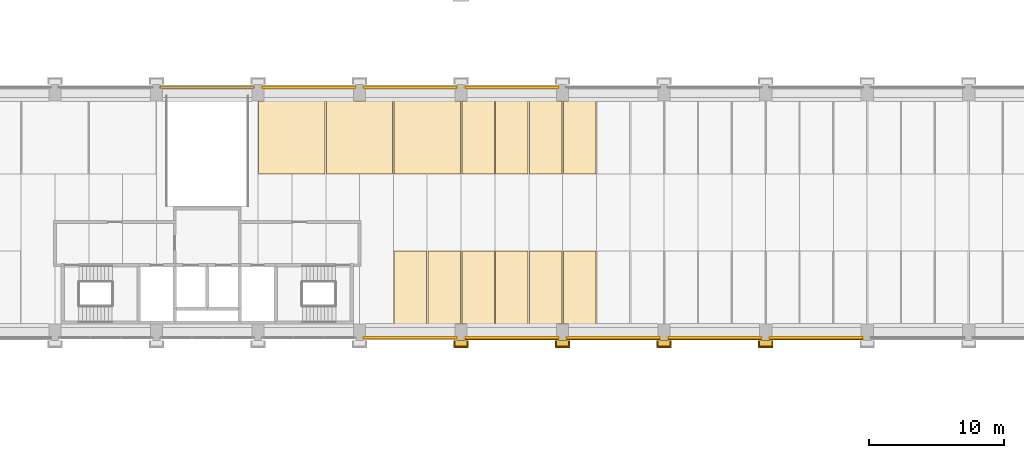
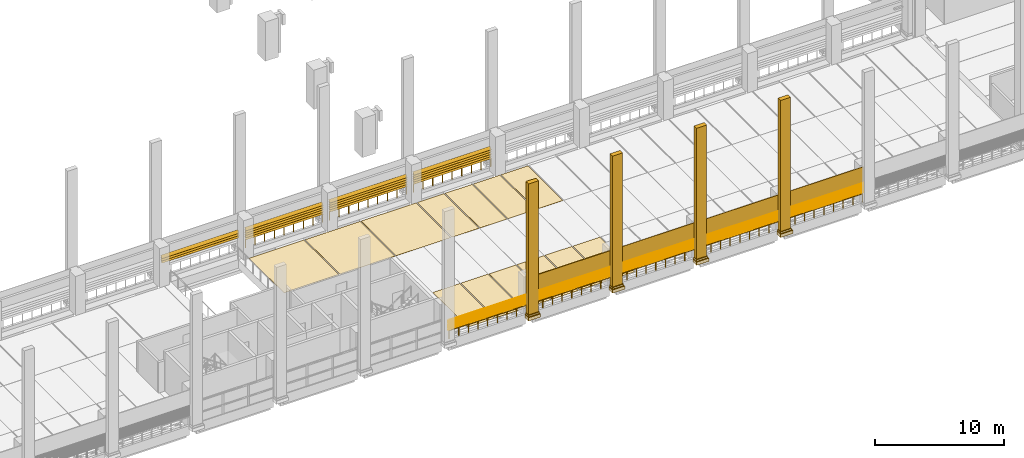
# One storey, part 50 of 67: 43 shading devices, 29 coverings, 8 railings.
"""IFC4 building model written with IfcOpenShell, lengths in metres."""

from ifc_helpers import new_model, si_unit, direction, frame, origin, origin_2d, place, context, subcontext, project, spatial, polyline, circle, outline, extrude, material, layer, layer_set, type_object, element, save


model = new_model("IFC4")

# Units and contexts
model_context = context("Model", 3, precision=1e-05, world=origin(), true_north=direction((0.0, 1.0)))
body_context = subcontext(model_context, "Body", "Model", "MODEL_VIEW")
ifc_project = project(units=[si_unit("LENGTHUNIT", "METRE"), si_unit("AREAUNIT", "SQUARE_METRE"), si_unit("VOLUMEUNIT", "CUBIC_METRE"), si_unit("PLANEANGLEUNIT", "RADIAN"), si_unit("MASSUNIT", "GRAM", prefix="KILO")], contexts=[model_context])

# Site, building, storey
site_placement = place(None, origin())
site = spatial("IfcSite", under=ifc_project, at=site_placement, CompositionType="ELEMENT")
building_placement = place(site_placement, origin())
building = spatial("IfcBuilding", under=site, at=building_placement, Name="Cour d'Honneur Mobility Palace", CompositionType="ELEMENT")
storey_placement = place(building_placement, frame((0.0, 0.0, 4.5)))
storey = spatial("IfcBuildingStorey", under=building, at=storey_placement, Name="L01", CompositionType="ELEMENT", Elevation=4.5)

# Coverings
ifc_material_1 = material(Name="Accessible bay marking paint")
ifc_layer_1 = layer(ifc_material_1, 0.0048828125)
ifc_layer_set_1 = layer_set([ifc_layer_1], Name="Accessible bay marking paint")
covering_type_1 = type_object("IfcCoveringType", Name="Accessible parking bay marking", PredefinedType="FLOORING", material=ifc_layer_set_1)
covering_1_placement = place(storey_placement, origin())
element("IfcCovering", 1, at=covering_1_placement, inside=storey, type_object=covering_type_1, Name="Accessible parking bay marking L01 4", PredefinedType="FLOORING", context=body_context, shape_type="SweptSolid", body=[
    extrude(outline(polyline([(84.949951171875, 56.550048828125), (84.949951171875, 61.949951171875), (89.85009765625, 61.949951171875), (89.85009765625, 56.550048828125), (84.949951171875, 56.550048828125)])), origin(), (0.0, 0.0, 1.0), 0.0048828125),
])
covering_2_placement = place(storey_placement, origin())
element("IfcCovering", 2, at=covering_2_placement, inside=storey, type_object=covering_type_1, Name="Accessible parking bay marking L01 5", PredefinedType="FLOORING", context=body_context, shape_type="SweptSolid", body=[
    extrude(outline(polyline([(89.949951171875, 56.550048828125), (89.949951171875, 61.949951171875), (94.85009765625, 61.949951171875), (94.85009765625, 56.550048828125), (89.949951171875, 56.550048828125)])), origin(), (0.0, 0.0, 1.0), 0.0048828125),
])
covering_3_placement = place(storey_placement, origin())
element("IfcCovering", 3, at=covering_3_placement, inside=storey, type_object=covering_type_1, Name="Accessible parking bay marking L01 6", PredefinedType="FLOORING", context=body_context, shape_type="SweptSolid", body=[
    extrude(outline(polyline([(94.949951171875, 56.550048828125), (94.949951171875, 61.949951171875), (99.85009765625, 61.949951171875), (99.85009765625, 56.550048828125), (94.949951171875, 56.550048828125)])), origin(), (0.0, 0.0, 1.0), 0.0048828125),
])

# Railings
ifc_material_2 = material(Name="Painted steel", Category="steel")
railing_type = type_object("IfcRailingType", Name="Balustrade", PredefinedType="BALUSTRADE", material=ifc_material_2)
for number, where, name in (
    (4, (92.699951171875, 44.449951171875, 0.300048828125), "Balustrade BAL-16"),
    (5, (100.199951171875, 44.449951171875, 0.300048828125), "Balustrade BAL-17"),
    (6, (107.699951171875, 44.449951171875, 0.300048828125), "Balustrade BAL-18"),
    (7, (115.199951171875, 44.449951171875, 0.300048828125), "Balustrade BAL-19"),
    (8, (122.699951171875, 44.449951171875, 0.300048828125), "Balustrade BAL-20"),
):
    element("IfcRailing", number, at=place(storey_placement, frame(where)), inside=storey, type_object=railing_type, Name=name, PredefinedType="BALUSTRADE", context=body_context, shape_type="SweptSolid", body=[
        extrude(circle(Radius=0.02392578125, at=origin_2d()), frame((0.0, 0.0, 0.77587890625), z_axis=(1.0, 0.0, 0.0), x_axis=(0.0, 1.0, 0.0)), (0.0, 0.0, 1.0), 6.900146484375),
        extrude(circle(Radius=0.02099609375, at=origin_2d()), origin(), (0.0, 0.0, 1.0), 0.751953125),
        extrude(circle(Radius=0.02099609375, at=origin_2d()), frame((0.862548828125, 0.0, 0.0)), (0.0, 0.0, 1.0), 0.751953125),
        extrude(circle(Radius=0.02099609375, at=origin_2d()), frame((1.72509765625, 0.0, 0.0)), (0.0, 0.0, 1.0), 0.751953125),
        extrude(circle(Radius=0.02099609375, at=origin_2d()), frame((2.587646484375, 0.0, 0.0)), (0.0, 0.0, 1.0), 0.751953125),
        extrude(circle(Radius=0.02099609375, at=origin_2d()), frame((3.4501953125, 0.0, 0.0)), (0.0, 0.0, 1.0), 0.751953125),
        extrude(circle(Radius=0.02099609375, at=origin_2d()), frame((4.3125, 0.0, 0.0)), (0.0, 0.0, 1.0), 0.751953125),
        extrude(circle(Radius=0.02099609375, at=origin_2d()), frame((5.175048828125, 0.0, 0.0)), (0.0, 0.0, 1.0), 0.751953125),
        extrude(circle(Radius=0.02099609375, at=origin_2d()), frame((6.03759765625, 0.0, 0.0)), (0.0, 0.0, 1.0), 0.751953125),
        extrude(circle(Radius=0.02099609375, at=origin_2d()), frame((6.900146484375, 0.0, 0.0)), (0.0, 0.0, 1.0), 0.751953125),
    ])
for number, where, name in (
    (9, (107.10009765625, 62.949951171875, 0.300048828125), "Balustrade BAL-45"),
    (10, (99.60009765625, 62.949951171875, 0.300048828125), "Balustrade BAL-46"),
    (11, (92.10009765625, 62.949951171875, 0.300048828125), "Balustrade BAL-47"),
):
    element("IfcRailing", number, at=place(storey_placement, frame(where)), inside=storey, type_object=railing_type, Name=name, PredefinedType="BALUSTRADE", context=body_context, shape_type="SweptSolid", body=[
        extrude(circle(Radius=0.02392578125, at=origin_2d()), frame((0.0, 0.0, 0.77587890625), z_axis=(-1.0, 0.0, 0.0), x_axis=(0.0, -1.0, 0.0)), (0.0, 0.0, 1.0), 6.900146484375),
        extrude(circle(Radius=0.02099609375, at=origin_2d()), origin(), (0.0, 0.0, 1.0), 0.751953125),
        extrude(circle(Radius=0.02099609375, at=origin_2d()), frame((-0.862548828125, 0.0, 0.0)), (0.0, 0.0, 1.0), 0.751953125),
        extrude(circle(Radius=0.02099609375, at=origin_2d()), frame((-1.72509765625, 0.0, 0.0)), (0.0, 0.0, 1.0), 0.751953125),
        extrude(circle(Radius=0.02099609375, at=origin_2d()), frame((-2.587646484375, 0.0, 0.0)), (0.0, 0.0, 1.0), 0.751953125),
        extrude(circle(Radius=0.02099609375, at=origin_2d()), frame((-3.4501953125, 0.0, 0.0)), (0.0, 0.0, 1.0), 0.751953125),
        extrude(circle(Radius=0.02099609375, at=origin_2d()), frame((-4.3125, 0.0, 0.0)), (0.0, 0.0, 1.0), 0.751953125),
        extrude(circle(Radius=0.02099609375, at=origin_2d()), frame((-5.175048828125, 0.0, 0.0)), (0.0, 0.0, 1.0), 0.751953125),
        extrude(circle(Radius=0.02099609375, at=origin_2d()), frame((-6.03759765625, 0.0, 0.0)), (0.0, 0.0, 1.0), 0.751953125),
        extrude(circle(Radius=0.02099609375, at=origin_2d()), frame((-6.900146484375, 0.0, 0.0)), (0.0, 0.0, 1.0), 0.751953125),
    ])

# Coverings
ifc_material_3 = material(Name="Parking marking paint")
ifc_layer_2 = layer(ifc_material_3, 0.0048828125)
ifc_layer_set_2 = layer_set([ifc_layer_2], Name="Parking marking paint")
covering_type_2 = type_object("IfcCoveringType", Name="Parking bay marking", PredefinedType="FLOORING", material=ifc_layer_set_2)
covering_4_placement = place(storey_placement, origin())
element("IfcCovering", 12, at=covering_4_placement, inside=storey, type_object=covering_type_2, Name="Parking bay marking L01 13", PredefinedType="FLOORING", context=body_context, shape_type="SweptSolid", body=[
    extrude(outline(polyline([(102.35009765625, 56.550048828125), (99.949951171875, 56.550048828125), (99.949951171875, 61.949951171875), (102.35009765625, 61.949951171875), (102.35009765625, 56.550048828125)])), origin(), (0.0, 0.0, 1.0), 0.0048828125),
])
covering_5_placement = place(storey_placement, origin())
element("IfcCovering", 13, at=covering_5_placement, inside=storey, type_object=covering_type_2, Name="Parking bay marking L01 14", PredefinedType="FLOORING", context=body_context, shape_type="SweptSolid", body=[
    extrude(outline(polyline([(104.85009765625, 56.550048828125), (102.449951171875, 56.550048828125), (102.449951171875, 61.949951171875), (104.85009765625, 61.949951171875), (104.85009765625, 56.550048828125)])), origin(), (0.0, 0.0, 1.0), 0.0048828125),
])
covering_6_placement = place(storey_placement, origin())
element("IfcCovering", 14, at=covering_6_placement, inside=storey, type_object=covering_type_2, Name="Parking bay marking L01 15", PredefinedType="FLOORING", context=body_context, shape_type="SweptSolid", body=[
    extrude(outline(polyline([(107.35009765625, 56.550048828125), (104.949951171875, 56.550048828125), (104.949951171875, 61.949951171875), (107.35009765625, 61.949951171875), (107.35009765625, 56.550048828125)])), origin(), (0.0, 0.0, 1.0), 0.0048828125),
])
covering_7_placement = place(storey_placement, origin())
element("IfcCovering", 15, at=covering_7_placement, inside=storey, type_object=covering_type_2, Name="Parking bay marking L01 16", PredefinedType="FLOORING", context=body_context, shape_type="SweptSolid", body=[
    extrude(outline(polyline([(109.85009765625, 56.550048828125), (107.449951171875, 56.550048828125), (107.449951171875, 61.949951171875), (109.85009765625, 61.949951171875), (109.85009765625, 56.550048828125)])), origin(), (0.0, 0.0, 1.0), 0.0048828125),
])
covering_8_placement = place(storey_placement, origin())
element("IfcCovering", 16, at=covering_8_placement, inside=storey, type_object=covering_type_2, Name="Parking bay marking L01 50", PredefinedType="FLOORING", context=body_context, shape_type="SweptSolid", body=[
    extrude(outline(polyline([(97.35009765625, 45.449951171875), (94.949951171875, 45.449951171875), (94.949951171875, 50.85009765625), (97.35009765625, 50.85009765625), (97.35009765625, 45.449951171875)])), origin(), (0.0, 0.0, 1.0), 0.0048828125),
])
covering_9_placement = place(storey_placement, origin())
element("IfcCovering", 17, at=covering_9_placement, inside=storey, type_object=covering_type_2, Name="Parking bay marking L01 51", PredefinedType="FLOORING", context=body_context, shape_type="SweptSolid", body=[
    extrude(outline(polyline([(99.85009765625, 45.449951171875), (97.449951171875, 45.449951171875), (97.449951171875, 50.85009765625), (99.85009765625, 50.85009765625), (99.85009765625, 45.449951171875)])), origin(), (0.0, 0.0, 1.0), 0.0048828125),
])
covering_10_placement = place(storey_placement, origin())
element("IfcCovering", 18, at=covering_10_placement, inside=storey, type_object=covering_type_2, Name="Parking bay marking L01 52", PredefinedType="FLOORING", context=body_context, shape_type="SweptSolid", body=[
    extrude(outline(polyline([(102.35009765625, 45.449951171875), (99.949951171875, 45.449951171875), (99.949951171875, 50.85009765625), (102.35009765625, 50.85009765625), (102.35009765625, 45.449951171875)])), origin(), (0.0, 0.0, 1.0), 0.0048828125),
])
covering_11_placement = place(storey_placement, origin())
element("IfcCovering", 19, at=covering_11_placement, inside=storey, type_object=covering_type_2, Name="Parking bay marking L01 53", PredefinedType="FLOORING", context=body_context, shape_type="SweptSolid", body=[
    extrude(outline(polyline([(104.85009765625, 45.449951171875), (102.449951171875, 45.449951171875), (102.449951171875, 50.85009765625), (104.85009765625, 50.85009765625), (104.85009765625, 45.449951171875)])), origin(), (0.0, 0.0, 1.0), 0.0048828125),
])
covering_12_placement = place(storey_placement, origin())
element("IfcCovering", 20, at=covering_12_placement, inside=storey, type_object=covering_type_2, Name="Parking bay marking L01 54", PredefinedType="FLOORING", context=body_context, shape_type="SweptSolid", body=[
    extrude(outline(polyline([(107.35009765625, 45.449951171875), (104.949951171875, 45.449951171875), (104.949951171875, 50.85009765625), (107.35009765625, 50.85009765625), (107.35009765625, 45.449951171875)])), origin(), (0.0, 0.0, 1.0), 0.0048828125),
])
covering_13_placement = place(storey_placement, origin())
element("IfcCovering", 21, at=covering_13_placement, inside=storey, type_object=covering_type_2, Name="Parking bay marking L01 55", PredefinedType="FLOORING", context=body_context, shape_type="SweptSolid", body=[
    extrude(outline(polyline([(109.85009765625, 45.449951171875), (107.449951171875, 45.449951171875), (107.449951171875, 50.85009765625), (109.85009765625, 50.85009765625), (109.85009765625, 45.449951171875)])), origin(), (0.0, 0.0, 1.0), 0.0048828125),
])
ifc_material_4 = material(Name="Cast limestone", Category="masonry")
ifc_layer_3 = layer(ifc_material_4, 0.14990234375)
ifc_layer_set_3 = layer_set([ifc_layer_3], Name="Cast limestone")
covering_type_3 = type_object("IfcCoveringType", Name="Pilaster base", PredefinedType="CLADDING", material=ifc_layer_set_3)
covering_14_placement = place(storey_placement, frame((0.0, 0.0, 0.10009765625)))
element("IfcCovering", 22, at=covering_14_placement, inside=storey, type_object=covering_type_3, Name="Pilaster base PB-41", PredefinedType="CLADDING", context=body_context, shape_type="SweptSolid", body=[
    extrude(outline(polyline([(99.35009765625, 44.25), (100.449951171875, 44.25), (100.449951171875, 43.699951171875), (99.35009765625, 43.699951171875), (99.35009765625, 44.25)])), origin(), (0.0, 0.0, 1.0), 0.2998046875),
])
covering_15_placement = place(storey_placement, frame((0.0, 0.0, 0.39990234375)))
element("IfcCovering", 23, at=covering_15_placement, inside=storey, type_object=covering_type_3, Name="Pilaster base PB-42", PredefinedType="CLADDING", context=body_context, shape_type="SweptSolid", body=[
    extrude(outline(polyline([(99.39990234375, 44.25), (100.39990234375, 44.25), (100.39990234375, 43.780029296875), (99.39990234375, 43.780029296875), (99.39990234375, 44.25)])), origin(), (0.0, 0.0, 1.0), 0.150146484375),
])
covering_16_placement = place(storey_placement, frame((0.0, 0.0, 0.10009765625)))
element("IfcCovering", 24, at=covering_16_placement, inside=storey, type_object=covering_type_3, Name="Pilaster base PB-43", PredefinedType="CLADDING", context=body_context, shape_type="SweptSolid", body=[
    extrude(outline(polyline([(106.85009765625, 44.25), (107.949951171875, 44.25), (107.949951171875, 43.699951171875), (106.85009765625, 43.699951171875), (106.85009765625, 44.25)])), origin(), (0.0, 0.0, 1.0), 0.2998046875),
])
covering_17_placement = place(storey_placement, frame((0.0, 0.0, 0.39990234375)))
element("IfcCovering", 25, at=covering_17_placement, inside=storey, type_object=covering_type_3, Name="Pilaster base PB-44", PredefinedType="CLADDING", context=body_context, shape_type="SweptSolid", body=[
    extrude(outline(polyline([(106.89990234375, 44.25), (107.89990234375, 44.25), (107.89990234375, 43.780029296875), (106.89990234375, 43.780029296875), (106.89990234375, 44.25)])), origin(), (0.0, 0.0, 1.0), 0.150146484375),
])
covering_18_placement = place(storey_placement, frame((0.0, 0.0, 0.10009765625)))
element("IfcCovering", 26, at=covering_18_placement, inside=storey, type_object=covering_type_3, Name="Pilaster base PB-45", PredefinedType="CLADDING", context=body_context, shape_type="SweptSolid", body=[
    extrude(outline(polyline([(114.35009765625, 44.25), (115.449951171875, 44.25), (115.449951171875, 43.699951171875), (114.35009765625, 43.699951171875), (114.35009765625, 44.25)])), origin(), (0.0, 0.0, 1.0), 0.2998046875),
])
covering_19_placement = place(storey_placement, frame((0.0, 0.0, 0.39990234375)))
element("IfcCovering", 27, at=covering_19_placement, inside=storey, type_object=covering_type_3, Name="Pilaster base PB-46", PredefinedType="CLADDING", context=body_context, shape_type="SweptSolid", body=[
    extrude(outline(polyline([(114.39990234375, 44.25), (115.39990234375, 44.25), (115.39990234375, 43.780029296875), (114.39990234375, 43.780029296875), (114.39990234375, 44.25)])), origin(), (0.0, 0.0, 1.0), 0.150146484375),
])
covering_20_placement = place(storey_placement, frame((0.0, 0.0, 0.10009765625)))
element("IfcCovering", 28, at=covering_20_placement, inside=storey, type_object=covering_type_3, Name="Pilaster base PB-47", PredefinedType="CLADDING", context=body_context, shape_type="SweptSolid", body=[
    extrude(outline(polyline([(121.85009765625, 44.25), (122.949951171875, 44.25), (122.949951171875, 43.699951171875), (121.85009765625, 43.699951171875), (121.85009765625, 44.25)])), origin(), (0.0, 0.0, 1.0), 0.2998046875),
])
covering_21_placement = place(storey_placement, frame((0.0, 0.0, 0.39990234375)))
element("IfcCovering", 29, at=covering_21_placement, inside=storey, type_object=covering_type_3, Name="Pilaster base PB-48", PredefinedType="CLADDING", context=body_context, shape_type="SweptSolid", body=[
    extrude(outline(polyline([(121.89990234375, 44.25), (122.89990234375, 44.25), (122.89990234375, 43.780029296875), (121.89990234375, 43.780029296875), (121.89990234375, 44.25)])), origin(), (0.0, 0.0, 1.0), 0.150146484375),
])
ifc_material_5 = material(Name="Cast limestone", Category="masonry")
ifc_layer_4 = layer(ifc_material_5, 0.39990234375)
ifc_layer_set_4 = layer_set([ifc_layer_4], Name="Cast limestone")
covering_type_4 = type_object("IfcCoveringType", Name="Pilaster shaft", PredefinedType="CLADDING", material=ifc_layer_set_4)
covering_22_placement = place(storey_placement, frame((0.0, 0.0, 0.550048828125)))
element("IfcCovering", 30, at=covering_22_placement, inside=storey, type_object=covering_type_4, Name="Pilaster shaft PS-21", PredefinedType="CLADDING", context=body_context, shape_type="SweptSolid", body=[
    extrude(outline(polyline([(99.449951171875, 44.25), (100.35009765625, 44.25), (100.35009765625, 43.85009765625), (99.449951171875, 43.85009765625), (99.449951171875, 44.25)])), origin(), (0.0, 0.0, 1.0), 12.349853515625),
])
covering_23_placement = place(storey_placement, frame((0.0, 0.0, 0.550048828125)))
element("IfcCovering", 31, at=covering_23_placement, inside=storey, type_object=covering_type_4, Name="Pilaster shaft PS-22", PredefinedType="CLADDING", context=body_context, shape_type="SweptSolid", body=[
    extrude(outline(polyline([(106.949951171875, 44.25), (107.85009765625, 44.25), (107.85009765625, 43.85009765625), (106.949951171875, 43.85009765625), (106.949951171875, 44.25)])), origin(), (0.0, 0.0, 1.0), 12.349853515625),
])
covering_24_placement = place(storey_placement, frame((0.0, 0.0, 0.550048828125)))
element("IfcCovering", 32, at=covering_24_placement, inside=storey, type_object=covering_type_4, Name="Pilaster shaft PS-23", PredefinedType="CLADDING", context=body_context, shape_type="SweptSolid", body=[
    extrude(outline(polyline([(114.449951171875, 44.25), (115.35009765625, 44.25), (115.35009765625, 43.85009765625), (114.449951171875, 43.85009765625), (114.449951171875, 44.25)])), origin(), (0.0, 0.0, 1.0), 12.349853515625),
])
covering_25_placement = place(storey_placement, frame((0.0, 0.0, 0.550048828125)))
element("IfcCovering", 33, at=covering_25_placement, inside=storey, type_object=covering_type_4, Name="Pilaster shaft PS-24", PredefinedType="CLADDING", context=body_context, shape_type="SweptSolid", body=[
    extrude(outline(polyline([(121.949951171875, 44.25), (122.85009765625, 44.25), (122.85009765625, 43.85009765625), (121.949951171875, 43.85009765625), (121.949951171875, 44.25)])), origin(), (0.0, 0.0, 1.0), 12.349853515625),
])
ifc_material_6 = material(Name="Cast limestone", Category="masonry")
ifc_layer_5 = layer(ifc_material_6, 0.25)
ifc_layer_set_5 = layer_set([ifc_layer_5], Name="Cast limestone")
covering_type_5 = type_object("IfcCoveringType", Name="Spandrel cladding", PredefinedType="CLADDING", material=ifc_layer_set_5)
for number, where, z_axis, x_axis, name in (
    (34, (100.199951171875, 44.550048828125, 2.300048828125), (-1.0, 0.0, 0.0), (0.0, -1.0, 0.0), "Spandrel cladding SK-81"),
    (35, (107.699951171875, 44.550048828125, 2.300048828125), (-1.0, 0.0, 0.0), (0.0, -1.0, 0.0), "Spandrel cladding SK-82"),
    (36, (115.199951171875, 44.550048828125, 2.300048828125), (-1.0, 0.0, 0.0), (0.0, -1.0, 0.0), "Spandrel cladding SK-83"),
    (37, (122.699951171875, 44.550048828125, 2.300048828125), (-1.0, 0.0, 0.0), (0.0, -1.0, 0.0), "Spandrel cladding SK-84"),
):
    element("IfcCovering", number, at=place(storey_placement, frame(where, z_axis=z_axis, x_axis=x_axis)), inside=storey, type_object=covering_type_5, Name=name, PredefinedType="CLADDING", context=body_context, shape_type="SweptSolid", body=[
        extrude(outline(polyline([(0.0, 0.0), (0.25, 0.0), (0.25, 1.39990234375), (0.199951171875, 1.39990234375), (0.199951171875, 0.800048828125), (0.0, 0.800048828125), (0.0, 0.0)])), origin(), (0.0, 0.0, -1.0), 6.89990234375),
    ])

# Shading devices
ifc_material_7 = material(Name="Terracotta", Category="masonry")
ifc_layer_6 = layer(ifc_material_7, 0.02490234375)
ifc_layer_set_6 = layer_set([ifc_layer_6], Name="Terracotta")
shading_device_type = type_object("IfcShadingDeviceType", Name="Terracotta louvre blade", PredefinedType="JALOUSIE", material=ifc_layer_set_6)
shading_device_1_placement = place(storey_placement, frame((92.699951171875, 44.55615234375, 1.10009765625), z_axis=(0.0, 0.706699578995, 0.707513749017), x_axis=(1.0, 0.0, 0.0)))
element("IfcShadingDevice", 38, at=shading_device_1_placement, inside=storey, type_object=shading_device_type, Name="Louvre blade LV-1 S2.10 L01 1", PredefinedType="JALOUSIE", context=body_context, shape_type="SweptSolid", body=[
    extrude(outline(polyline([(0.0, 0.0), (6.900146484375, 0.0), (6.900146484375, -0.29986442442957895), (0.0, -0.29986442442957895), (0.0, 0.0)])), origin(), (0.0, 0.0, -1.0), 0.02490234375),
])
for number, where, z_axis, x_axis, name in (
    (39, (92.699951171875, 44.55615234375, 1.31201171875), (0.0, 0.707106781187, 0.707106781187), (1.0, 0.0, 0.0), "Louvre blade LV-1 S2.10 L01 2"),
    (40, (92.699951171875, 44.55615234375, 1.524169921875), (0.0, 0.707106781187, 0.707106781187), (1.0, 0.0, 0.0), "Louvre blade LV-1 S2.10 L01 3"),
    (41, (92.699951171875, 44.55615234375, 1.736328125), (0.0, 0.707106781187, 0.707106781187), (1.0, 0.0, 0.0), "Louvre blade LV-1 S2.10 L01 4"),
    (42, (92.699951171875, 44.55615234375, 1.948486328125), (0.0, 0.707106781187, 0.707106781187), (1.0, 0.0, 0.0), "Louvre blade LV-1 S2.10 L01 5"),
):
    element("IfcShadingDevice", number, at=place(storey_placement, frame(where, z_axis=z_axis, x_axis=x_axis)), inside=storey, type_object=shading_device_type, Name=name, PredefinedType="JALOUSIE", context=body_context, shape_type="SweptSolid", body=[
        extrude(outline(polyline([(0.0, 0.0), (6.900146484375, 0.0), (6.900146484375, -0.300037008228081), (0.0, -0.300037008228081), (0.0, 0.0)])), origin(), (0.0, 0.0, -1.0), 0.02490234375),
    ])
shading_device_2_placement = place(storey_placement, frame((100.199951171875, 44.55615234375, 1.10009765625), z_axis=(0.0, 0.706699578995, 0.707513749017), x_axis=(1.0, 0.0, 0.0)))
element("IfcShadingDevice", 43, at=shading_device_2_placement, inside=storey, type_object=shading_device_type, Name="Louvre blade LV-1 S2.11 L01 1", PredefinedType="JALOUSIE", context=body_context, shape_type="SweptSolid", body=[
    extrude(outline(polyline([(0.0, 0.0), (6.900146484375, 0.0), (6.900146484375, -0.29986442442957895), (0.0, -0.29986442442957895), (0.0, 0.0)])), origin(), (0.0, 0.0, -1.0), 0.02490234375),
])
for number, where, z_axis, x_axis, name in (
    (44, (100.199951171875, 44.55615234375, 1.31201171875), (0.0, 0.707106781187, 0.707106781187), (1.0, 0.0, 0.0), "Louvre blade LV-1 S2.11 L01 2"),
    (45, (100.199951171875, 44.55615234375, 1.524169921875), (0.0, 0.707106781187, 0.707106781187), (1.0, 0.0, 0.0), "Louvre blade LV-1 S2.11 L01 3"),
    (46, (100.199951171875, 44.55615234375, 1.736328125), (0.0, 0.707106781187, 0.707106781187), (1.0, 0.0, 0.0), "Louvre blade LV-1 S2.11 L01 4"),
    (47, (100.199951171875, 44.55615234375, 1.948486328125), (0.0, 0.707106781187, 0.707106781187), (1.0, 0.0, 0.0), "Louvre blade LV-1 S2.11 L01 5"),
):
    element("IfcShadingDevice", number, at=place(storey_placement, frame(where, z_axis=z_axis, x_axis=x_axis)), inside=storey, type_object=shading_device_type, Name=name, PredefinedType="JALOUSIE", context=body_context, shape_type="SweptSolid", body=[
        extrude(outline(polyline([(0.0, 0.0), (6.900146484375, 0.0), (6.900146484375, -0.300037008228081), (0.0, -0.300037008228081), (0.0, 0.0)])), origin(), (0.0, 0.0, -1.0), 0.02490234375),
    ])
shading_device_3_placement = place(storey_placement, frame((107.699951171875, 44.55615234375, 1.10009765625), z_axis=(0.0, 0.706699578995, 0.707513749017), x_axis=(1.0, 0.0, 0.0)))
element("IfcShadingDevice", 48, at=shading_device_3_placement, inside=storey, type_object=shading_device_type, Name="Louvre blade LV-1 S2.12 L01 1", PredefinedType="JALOUSIE", context=body_context, shape_type="SweptSolid", body=[
    extrude(outline(polyline([(0.0, 0.0), (6.900146484375, 0.0), (6.900146484375, -0.29986442442957895), (0.0, -0.29986442442957895), (0.0, 0.0)])), origin(), (0.0, 0.0, -1.0), 0.02490234375),
])
for number, where, z_axis, x_axis, name in (
    (49, (107.699951171875, 44.55615234375, 1.31201171875), (0.0, 0.707106781187, 0.707106781187), (1.0, 0.0, 0.0), "Louvre blade LV-1 S2.12 L01 2"),
    (50, (107.699951171875, 44.55615234375, 1.524169921875), (0.0, 0.707106781187, 0.707106781187), (1.0, 0.0, 0.0), "Louvre blade LV-1 S2.12 L01 3"),
    (51, (107.699951171875, 44.55615234375, 1.736328125), (0.0, 0.707106781187, 0.707106781187), (1.0, 0.0, 0.0), "Louvre blade LV-1 S2.12 L01 4"),
    (52, (107.699951171875, 44.55615234375, 1.948486328125), (0.0, 0.707106781187, 0.707106781187), (1.0, 0.0, 0.0), "Louvre blade LV-1 S2.12 L01 5"),
):
    element("IfcShadingDevice", number, at=place(storey_placement, frame(where, z_axis=z_axis, x_axis=x_axis)), inside=storey, type_object=shading_device_type, Name=name, PredefinedType="JALOUSIE", context=body_context, shape_type="SweptSolid", body=[
        extrude(outline(polyline([(0.0, 0.0), (6.900146484375, 0.0), (6.900146484375, -0.300037008228081), (0.0, -0.300037008228081), (0.0, 0.0)])), origin(), (0.0, 0.0, -1.0), 0.02490234375),
    ])
shading_device_4_placement = place(storey_placement, frame((115.199951171875, 44.55615234375, 1.10009765625), z_axis=(0.0, 0.706699578995, 0.707513749017), x_axis=(1.0, 0.0, 0.0)))
element("IfcShadingDevice", 53, at=shading_device_4_placement, inside=storey, type_object=shading_device_type, Name="Louvre blade LV-1 S2.13 L01 1", PredefinedType="JALOUSIE", context=body_context, shape_type="SweptSolid", body=[
    extrude(outline(polyline([(0.0, 0.0), (6.900146484375, 0.0), (6.900146484375, -0.29986442442957895), (0.0, -0.29986442442957895), (0.0, 0.0)])), origin(), (0.0, 0.0, -1.0), 0.02490234375),
])
for number, where, z_axis, x_axis, name in (
    (54, (115.199951171875, 44.55615234375, 1.31201171875), (0.0, 0.707106781187, 0.707106781187), (1.0, 0.0, 0.0), "Louvre blade LV-1 S2.13 L01 2"),
    (55, (115.199951171875, 44.55615234375, 1.524169921875), (0.0, 0.707106781187, 0.707106781187), (1.0, 0.0, 0.0), "Louvre blade LV-1 S2.13 L01 3"),
    (56, (115.199951171875, 44.55615234375, 1.736328125), (0.0, 0.707106781187, 0.707106781187), (1.0, 0.0, 0.0), "Louvre blade LV-1 S2.13 L01 4"),
    (57, (115.199951171875, 44.55615234375, 1.948486328125), (0.0, 0.707106781187, 0.707106781187), (1.0, 0.0, 0.0), "Louvre blade LV-1 S2.13 L01 5"),
):
    element("IfcShadingDevice", number, at=place(storey_placement, frame(where, z_axis=z_axis, x_axis=x_axis)), inside=storey, type_object=shading_device_type, Name=name, PredefinedType="JALOUSIE", context=body_context, shape_type="SweptSolid", body=[
        extrude(outline(polyline([(0.0, 0.0), (6.900146484375, 0.0), (6.900146484375, -0.300037008228081), (0.0, -0.300037008228081), (0.0, 0.0)])), origin(), (0.0, 0.0, -1.0), 0.02490234375),
    ])
shading_device_5_placement = place(storey_placement, frame((122.699951171875, 44.55615234375, 1.10009765625), z_axis=(0.0, 0.706699578995, 0.707513749017), x_axis=(1.0, 0.0, 0.0)))
element("IfcShadingDevice", 58, at=shading_device_5_placement, inside=storey, type_object=shading_device_type, Name="Louvre blade LV-1 S2.14 L01 1", PredefinedType="JALOUSIE", context=body_context, shape_type="SweptSolid", body=[
    extrude(outline(polyline([(0.0, 0.0), (6.900146484375, 0.0), (6.900146484375, -0.29986442442957895), (0.0, -0.29986442442957895), (0.0, 0.0)])), origin(), (0.0, 0.0, -1.0), 0.02490234375),
])
for number, where, z_axis, x_axis, name in (
    (59, (122.699951171875, 44.55615234375, 1.31201171875), (0.0, 0.707106781187, 0.707106781187), (1.0, 0.0, 0.0), "Louvre blade LV-1 S2.14 L01 2"),
    (60, (122.699951171875, 44.55615234375, 1.524169921875), (0.0, 0.707106781187, 0.707106781187), (1.0, 0.0, 0.0), "Louvre blade LV-1 S2.14 L01 3"),
    (61, (122.699951171875, 44.55615234375, 1.736328125), (0.0, 0.707106781187, 0.707106781187), (1.0, 0.0, 0.0), "Louvre blade LV-1 S2.14 L01 4"),
    (62, (122.699951171875, 44.55615234375, 1.948486328125), (0.0, 0.707106781187, 0.707106781187), (1.0, 0.0, 0.0), "Louvre blade LV-1 S2.14 L01 5"),
):
    element("IfcShadingDevice", number, at=place(storey_placement, frame(where, z_axis=z_axis, x_axis=x_axis)), inside=storey, type_object=shading_device_type, Name=name, PredefinedType="JALOUSIE", context=body_context, shape_type="SweptSolid", body=[
        extrude(outline(polyline([(0.0, 0.0), (6.900146484375, 0.0), (6.900146484375, -0.300037008228081), (0.0, -0.300037008228081), (0.0, 0.0)])), origin(), (0.0, 0.0, -1.0), 0.02490234375),
    ])
shading_device_6_placement = place(storey_placement, frame((107.10009765625, 62.843994140625, 1.10009765625), z_axis=(0.0, -0.706699578995, 0.707513749017), x_axis=(-1.0, 0.0, 0.0)))
element("IfcShadingDevice", 63, at=shading_device_6_placement, inside=storey, type_object=shading_device_type, Name="Louvre blade LV-1 N8.5 L01 1", PredefinedType="JALOUSIE", context=body_context, shape_type="SweptSolid", body=[
    extrude(outline(polyline([(0.0, 0.0), (6.900146484375, 0.0), (6.900146484375, -0.29986442442957895), (0.0, -0.29986442442957895), (0.0, 0.0)])), origin(), (0.0, 0.0, -1.0), 0.02490234375),
])
for number, where, z_axis, x_axis, name in (
    (64, (107.10009765625, 62.843994140625, 1.31201171875), (0.0, -0.707106781187, 0.707106781187), (-1.0, 0.0, 0.0), "Louvre blade LV-1 N8.5 L01 2"),
    (65, (107.10009765625, 62.843994140625, 1.524169921875), (0.0, -0.707106781187, 0.707106781187), (-1.0, 0.0, 0.0), "Louvre blade LV-1 N8.5 L01 3"),
    (66, (107.10009765625, 62.843994140625, 1.736328125), (0.0, -0.707106781187, 0.707106781187), (-1.0, 0.0, 0.0), "Louvre blade LV-1 N8.5 L01 4"),
    (67, (107.10009765625, 62.843994140625, 1.948486328125), (0.0, -0.707106781187, 0.707106781187), (-1.0, 0.0, 0.0), "Louvre blade LV-1 N8.5 L01 5"),
):
    element("IfcShadingDevice", number, at=place(storey_placement, frame(where, z_axis=z_axis, x_axis=x_axis)), inside=storey, type_object=shading_device_type, Name=name, PredefinedType="JALOUSIE", context=body_context, shape_type="SweptSolid", body=[
        extrude(outline(polyline([(0.0, 0.0), (6.900146484375, 0.0), (6.900146484375, -0.300037008228081), (0.0, -0.300037008228081), (0.0, 0.0)])), origin(), (0.0, 0.0, -1.0), 0.02490234375),
    ])
shading_device_7_placement = place(storey_placement, frame((99.60009765625, 62.843994140625, 1.10009765625), z_axis=(0.0, -0.706699578995, 0.707513749017), x_axis=(-1.0, 0.0, 0.0)))
element("IfcShadingDevice", 68, at=shading_device_7_placement, inside=storey, type_object=shading_device_type, Name="Louvre blade LV-1 N8.6 L01 1", PredefinedType="JALOUSIE", context=body_context, shape_type="SweptSolid", body=[
    extrude(outline(polyline([(0.0, 0.0), (6.900146484375, 0.0), (6.900146484375, -0.29986442442957895), (0.0, -0.29986442442957895), (0.0, 0.0)])), origin(), (0.0, 0.0, -1.0), 0.02490234375),
])
for number, where, z_axis, x_axis, name in (
    (69, (99.60009765625, 62.843994140625, 1.31201171875), (0.0, -0.707106781187, 0.707106781187), (-1.0, 0.0, 0.0), "Louvre blade LV-1 N8.6 L01 2"),
    (70, (99.60009765625, 62.843994140625, 1.524169921875), (0.0, -0.707106781187, 0.707106781187), (-1.0, 0.0, 0.0), "Louvre blade LV-1 N8.6 L01 3"),
    (71, (99.60009765625, 62.843994140625, 1.736328125), (0.0, -0.707106781187, 0.707106781187), (-1.0, 0.0, 0.0), "Louvre blade LV-1 N8.6 L01 4"),
    (72, (99.60009765625, 62.843994140625, 1.948486328125), (0.0, -0.707106781187, 0.707106781187), (-1.0, 0.0, 0.0), "Louvre blade LV-1 N8.6 L01 5"),
):
    element("IfcShadingDevice", number, at=place(storey_placement, frame(where, z_axis=z_axis, x_axis=x_axis)), inside=storey, type_object=shading_device_type, Name=name, PredefinedType="JALOUSIE", context=body_context, shape_type="SweptSolid", body=[
        extrude(outline(polyline([(0.0, 0.0), (6.900146484375, 0.0), (6.900146484375, -0.300037008228081), (0.0, -0.300037008228081), (0.0, 0.0)])), origin(), (0.0, 0.0, -1.0), 0.02490234375),
    ])
shading_device_8_placement = place(storey_placement, frame((92.10009765625, 62.843994140625, 1.10009765625), z_axis=(0.0, -0.706699578995, 0.707513749017), x_axis=(-1.0, 0.0, 0.0)))
element("IfcShadingDevice", 73, at=shading_device_8_placement, inside=storey, type_object=shading_device_type, Name="Louvre blade LV-1 N8.7 L01 1", PredefinedType="JALOUSIE", context=body_context, shape_type="SweptSolid", body=[
    extrude(outline(polyline([(0.0, 0.0), (6.900146484375, 0.0), (6.900146484375, -0.29986442442957895), (0.0, -0.29986442442957895), (0.0, 0.0)])), origin(), (0.0, 0.0, -1.0), 0.02490234375),
])
for number, where, z_axis, x_axis, name in (
    (74, (92.10009765625, 62.843994140625, 1.31201171875), (0.0, -0.707106781187, 0.707106781187), (-1.0, 0.0, 0.0), "Louvre blade LV-1 N8.7 L01 2"),
    (75, (92.10009765625, 62.843994140625, 1.524169921875), (0.0, -0.707106781187, 0.707106781187), (-1.0, 0.0, 0.0), "Louvre blade LV-1 N8.7 L01 3"),
    (76, (92.10009765625, 62.843994140625, 1.736328125), (0.0, -0.707106781187, 0.707106781187), (-1.0, 0.0, 0.0), "Louvre blade LV-1 N8.7 L01 4"),
    (77, (92.10009765625, 62.843994140625, 1.948486328125), (0.0, -0.707106781187, 0.707106781187), (-1.0, 0.0, 0.0), "Louvre blade LV-1 N8.7 L01 5"),
    (78, (84.60009765625, 62.843994140625, 1.524169921875), (0.0, -0.707106781187, 0.707106781187), (-1.0, 0.0, 0.0), "Louvre blade LV-1 N8.8 L01 3"),
    (79, (84.60009765625, 62.843994140625, 1.736328125), (0.0, -0.707106781187, 0.707106781187), (-1.0, 0.0, 0.0), "Louvre blade LV-1 N8.8 L01 4"),
    (80, (84.60009765625, 62.843994140625, 1.948486328125), (0.0, -0.707106781187, 0.707106781187), (-1.0, 0.0, 0.0), "Louvre blade LV-1 N8.8 L01 5"),
):
    element("IfcShadingDevice", number, at=place(storey_placement, frame(where, z_axis=z_axis, x_axis=x_axis)), inside=storey, type_object=shading_device_type, Name=name, PredefinedType="JALOUSIE", context=body_context, shape_type="SweptSolid", body=[
        extrude(outline(polyline([(0.0, 0.0), (6.900146484375, 0.0), (6.900146484375, -0.300037008228081), (0.0, -0.300037008228081), (0.0, 0.0)])), origin(), (0.0, 0.0, -1.0), 0.02490234375),
    ])

save(model, "model.ifc")
